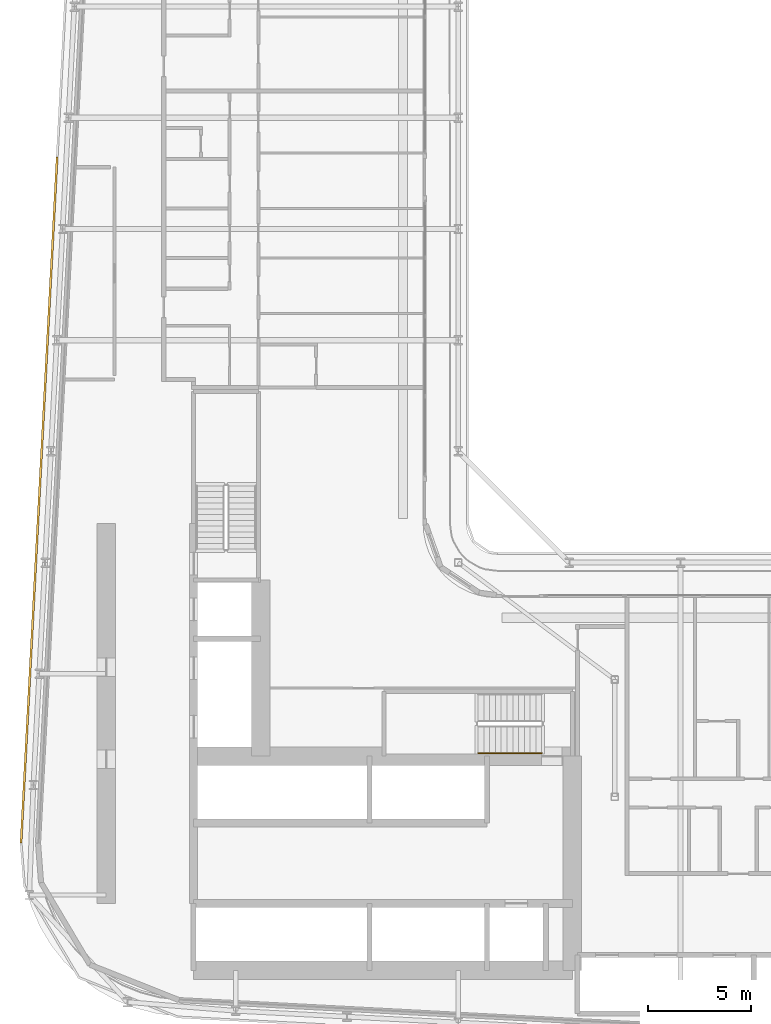
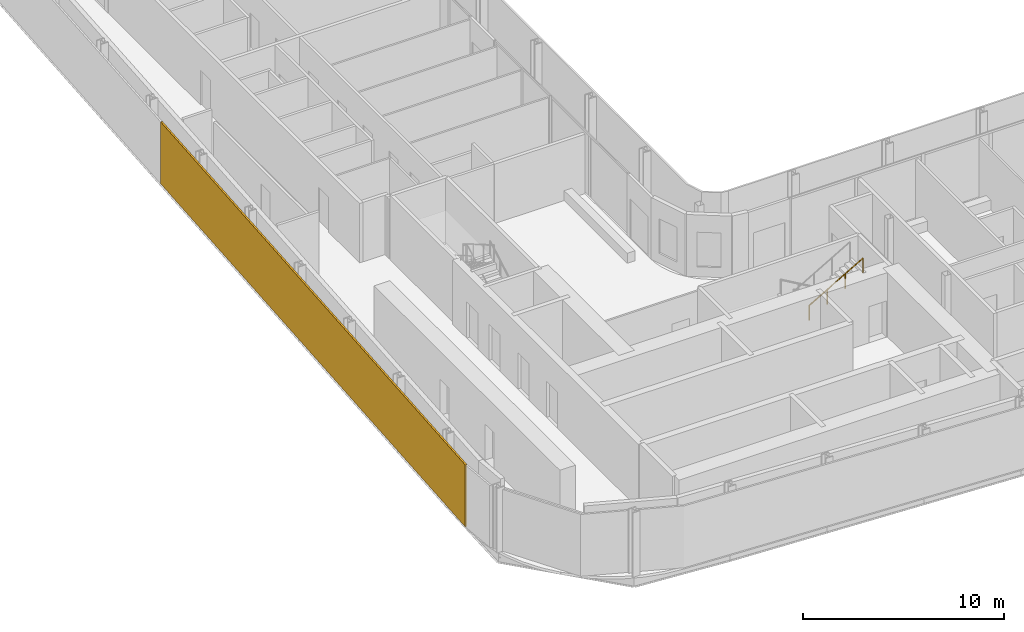
# One storey, part 23 of 29: 1 railing, 1 shading device.
"""IFC4 building model written with IfcOpenShell, lengths in metres."""

from ifc_helpers import new_model, si_unit, direction, frame, origin, origin_2d, place, context, subcontext, project, spatial, rectangle, circle, extrude, material, layer, layer_set, type_object, element, save


model = new_model("IFC4")

# Units and contexts
model_context = context("Model", 3, precision=1e-05, world=origin(), true_north=direction((0.0, 1.0)))
body_context = subcontext(model_context, "Body", "Model", "MODEL_VIEW")
ifc_project = project(units=[si_unit("LENGTHUNIT", "METRE"), si_unit("AREAUNIT", "SQUARE_METRE"), si_unit("VOLUMEUNIT", "CUBIC_METRE"), si_unit("PLANEANGLEUNIT", "RADIAN"), si_unit("MASSUNIT", "GRAM", prefix="KILO")], contexts=[model_context])

# Site, building, storey
site_placement = place(None, origin())
site = spatial("IfcSite", under=ifc_project, at=site_placement, CompositionType="ELEMENT")
building_placement = place(site_placement, origin())
building = spatial("IfcBuilding", under=site, at=building_placement, Name="Kheshtan School and Residences Tower", CompositionType="ELEMENT")
storey_placement = place(building_placement, frame((0.0, 0.0, 121.39990234375)))
storey = spatial("IfcBuildingStorey", under=building, at=storey_placement, Name="L28", CompositionType="ELEMENT", Elevation=121.39990234375)

# Shading device
ifc_material_1 = material(Name="Terracotta baguette, extruded ceramic", Category="masonry")
ifc_layer = layer(ifc_material_1, 0.10009765625)
ifc_layer_set = layer_set([ifc_layer], Name="Ledge screen, terracotta baguettes")
shading_device_type = type_object("IfcShadingDeviceType", Name="Ledge screen, terracotta baguettes", PredefinedType="USERDEFINED", material=ifc_layer_set)
shading_device_placement = place(storey_placement, frame((27.24609375, 48.638916015625, 0.0), z_axis=(0.0, 0.0, 1.0), x_axis=(0.052562536748, 0.998617634398, 0.0)))
element("IfcShadingDevice", 1, at=shading_device_placement, inside=storey, type_object=shading_device_type, Name="Screen L28 4", ObjectType="BAGUETTE", PredefinedType="USERDEFINED", context=body_context, shape_type="SweptSolid", body=[
    extrude(rectangle(XDim=33.341064453125, YDim=0.10009765625, at=origin_2d()), origin(), (0.0, 0.0, 1.0), 3.75),
])

# Railing
ifc_material_2 = material(Name="Stainless steel handrail", Category="steel")
railing_type = type_object("IfcRailingType", Name="Stair handrail 900", PredefinedType="HANDRAIL", material=ifc_material_2)
railing_placement = place(storey_placement, frame((48.570068359375, 36.35009765625, 2.112548828125)))
element("IfcRailing", 2, at=railing_placement, inside=storey, type_object=railing_type, Name="L28 ST1 stair handrail 2", PredefinedType="HANDRAIL", context=body_context, shape_type="SweptSolid", body=[
    extrude(circle(Radius=0.02392578125, at=origin_2d()), frame((0.0, 0.0, 0.8759765625), z_axis=(0.864873446163, 0.0, 0.501989962173), x_axis=(0.0, 1.0, 0.0)), (0.0, 0.0, 1.0), 3.56103515625),
    extrude(circle(Radius=0.02099609375, at=origin_2d()), origin(), (0.0, 0.0, 1.0), 0.851806640625),
    extrude(circle(Radius=0.02099609375, at=origin_2d()), frame((1.026611328125, 0.0, 0.595947265625)), (0.0, 0.0, 1.0), 0.851806640625),
    extrude(circle(Radius=0.02099609375, at=origin_2d()), frame((2.05322265625, 0.0, 1.191650390625)), (0.0, 0.0, 1.0), 0.851806640625),
    extrude(circle(Radius=0.02099609375, at=origin_2d()), frame((3.079833984375, 0.0, 1.78759765625)), (0.0, 0.0, 1.0), 0.851806640625),
])

save(model, "model.ifc")
